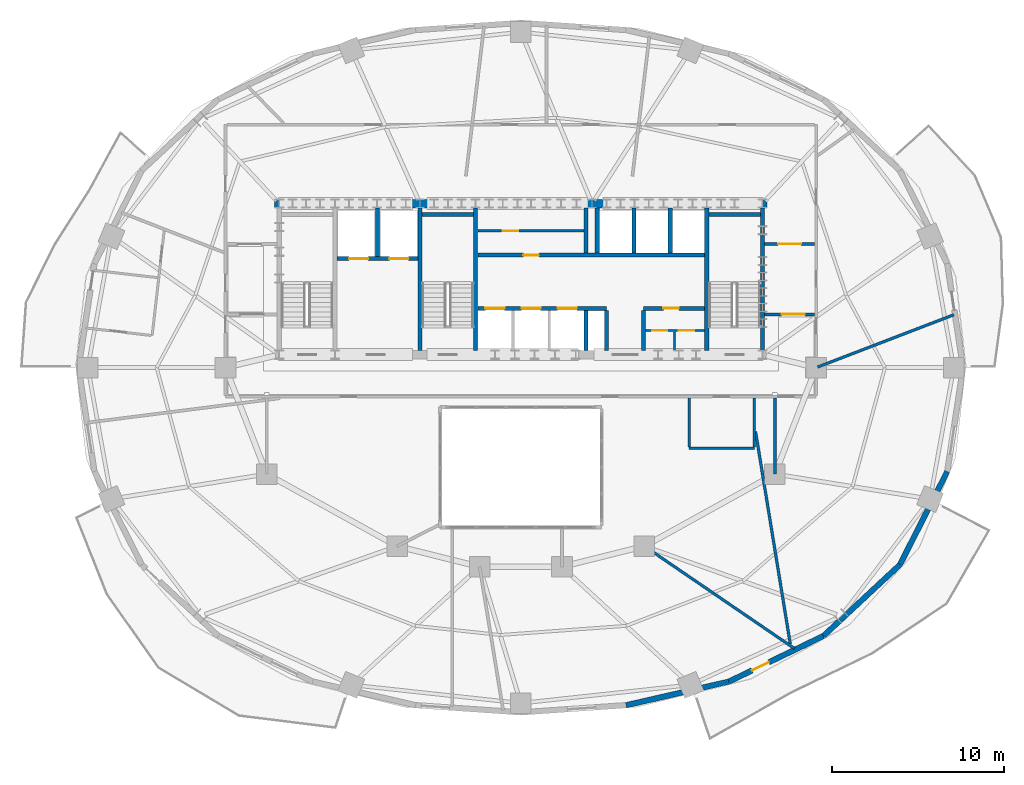
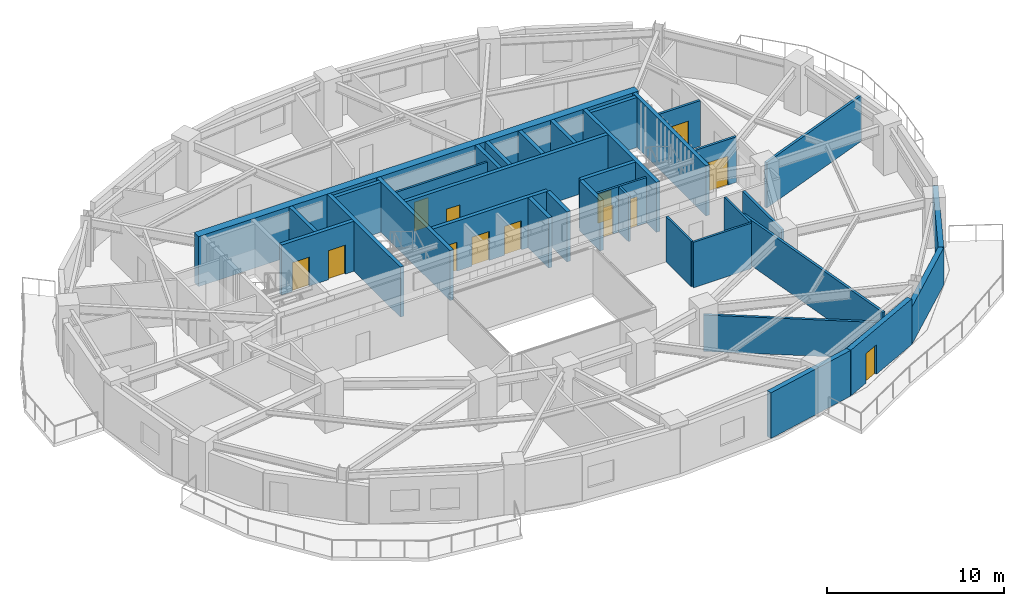
# One storey, part 7 of 12: 35 walls, 13 doors, 13 openings.
"""IFC4 building model written with IfcOpenShell, lengths in metres."""

from ifc_helpers import new_model, si_unit, direction, frame, frame_2d, origin, place, context, subcontext, project, spatial, rectangle, extrude, material, layer, layer_set, type_object, element, fill, save


model = new_model("IFC4")

# Units and contexts
model_context = context("Model", 3, precision=1e-05, world=origin(), true_north=direction((0.0, 1.0)))
body_context = subcontext(model_context, "Body", "Model", "MODEL_VIEW")
ifc_project = project(units=[si_unit("LENGTHUNIT", "METRE"), si_unit("AREAUNIT", "SQUARE_METRE"), si_unit("VOLUMEUNIT", "CUBIC_METRE"), si_unit("PLANEANGLEUNIT", "RADIAN"), si_unit("MASSUNIT", "GRAM", prefix="KILO")], contexts=[model_context])

# Site, building, storey
site_placement = place(None, origin())
site = spatial("IfcSite", under=ifc_project, at=site_placement, CompositionType="ELEMENT")
building_placement = place(site_placement, origin())
building = spatial("IfcBuilding", under=site, at=building_placement, Name="Haldorwick Loom Tower", CompositionType="ELEMENT")
storey_placement = place(building_placement, frame((0.0, 0.0, 146.0)))
storey = spatial("IfcBuildingStorey", under=building, at=storey_placement, Name="L39", CompositionType="ELEMENT", Elevation=146.0)

# Wall
ifc_material_1 = material(Name="Pressed Clay Face Brick and Insulated Masonry Backup Assembly", Category="masonry")
ifc_layer_1 = layer(ifc_material_1, 0.320068359375, Name="Pressed Clay Face Brick and Insulated Masonry Backup Assembly", Category="masonry")
ifc_layer_set_1 = layer_set([ifc_layer_1], Name="Pressed Clay Face Brick and Insulated Masonry Backup Assembly")
wall_type_1 = type_object("IfcWallType", Name="ARC-WL-EXT320", PredefinedType="STANDARD", material=ifc_layer_set_1)
wall_1_placement = place(storey_placement, frame((42.12890625, 6.3359375, 0.0), z_axis=(0.0, 0.0, 1.0), x_axis=(0.974593223547, 0.223982250674, 0.0)))
element("IfcWall", 1, at=wall_1_placement, inside=storey, type_object=wall_type_1, Name="L39 Brick Pier and Spandrel Wall 20", PredefinedType="STANDARD", context=body_context, shape_type="SweptSolid", body=[
    extrude(rectangle(XDim=6.138916015625, YDim=0.320068359375, at=frame_2d((3.0693359375, 0.0))), origin(), (0.0, 0.0, 1.0), 3.14990234375),
])

# Wall, opening, door
wall_2_placement = place(storey_placement, frame((48.11181640625, 7.7109375, 0.0), z_axis=(0.0, 0.0, 1.0), x_axis=(0.900479976617, 0.434897472644, 0.0)))
wall_2 = element("IfcWall", 2, at=wall_2_placement, inside=storey, type_object=wall_type_1, Name="L39 Brick Pier and Spandrel Wall 21", PredefinedType="STANDARD", context=body_context, shape_type="SweptSolid", body=[
    extrude(rectangle(XDim=6.118408203125, YDim=0.320068359375, at=frame_2d((3.05908203125, 0.0))), origin(), (0.0, 0.0, 1.0), 3.14990234375),
])
opening_1_placement = place(wall_2_placement, frame((1.50634765625, 0.0, 0.0)))
opening_1 = element("IfcOpeningElement", 3, at=opening_1_placement, cuts=wall_2, Name="Opening D-BL11", PredefinedType="OPENING", context=body_context, shape_type="SweptSolid", body=[
    extrude(rectangle(XDim=1.080078125, YDim=2.0400390625, at=frame_2d((0.5400390625, 1.02001953125))), frame((0.0, 0.169921875, 0.0), z_axis=(0.0, -1.0, 0.0), x_axis=(1.0, 0.0, 0.0)), (0.0, 0.0, 1.0), 0.340087890625),
])
ifc_material_2 = material(Name="Thermally Broken Anodized Aluminium Curtain Wall Framing", Category="aluminium")
door_type_1 = type_object("IfcDoorType", Name="ARC-DR-BAL110", OperationType="NOTDEFINED", PredefinedType="DOOR", material=ifc_material_2)
door_1_placement = place(opening_1_placement, origin())
door_1 = element("IfcDoor", 4, at=door_1_placement, inside=storey, type_object=door_type_1, Name="L39 Outdoor Terrace Door SLB-L39-BAL_SE", OperationType="SINGLE_SWING_RIGHT", OverallHeight=2.0400390625, OverallWidth=1.080078125, PredefinedType="DOOR", context=body_context, shape_type="SweptSolid", body=[
    extrude(rectangle(XDim=1.080078125, YDim=2.0400390625, at=frame_2d((0.5400390625, 1.02001953125))), frame((0.0, 0.02490234375, 0.0), z_axis=(0.0, -1.0, 0.0), x_axis=(1.0, 0.0, 0.0)), (0.0, 0.0, 1.0), 0.050048828125),
])
fill(opening_1, door_1)

# Walls
for number, where, z_axis, x_axis, name in (
    (5, (53.621337890625, 10.371826171875, 0.0), (0.0, 0.0, 1.0), (0.731982952968, 0.681322945866, 0.0), "L39 Brick Pier and Spandrel Wall 22"),
    (6, (58.07666015625, 14.518798828125, 0.0), (0.0, 0.0, 1.0), (0.453172129629, 0.89142303141, 0.0), "L39 Brick Pier and Spandrel Wall 23"),
):
    element("IfcWall", number, at=place(storey_placement, frame(where, z_axis=z_axis, x_axis=x_axis)), inside=storey, type_object=wall_type_1, Name=name, PredefinedType="STANDARD", context=body_context, shape_type="SweptSolid", body=[
        extrude(rectangle(XDim=6.086669921875, YDim=0.320068359375, at=frame_2d((3.04345703125, 0.0))), origin(), (0.0, 0.0, 1.0), 2.5810546875),
    ])

# Wall, opening, door
ifc_material_3 = material(Name="Fire-Rated Type X Gypsum Stud Assembly EI 60")
ifc_layer_2 = layer(ifc_material_3, 0.159912109375, Name="Fire-Rated Type X Gypsum Stud Assembly EI 60")
ifc_layer_set_2 = layer_set([ifc_layer_2], Name="Fire-Rated Type X Gypsum Stud Assembly EI 60")
wall_type_2 = type_object("IfcWallType", Name="ARC-WL-FIRE160", PredefinedType="PARTITIONING", material=ifc_layer_set_2)
wall_3_placement = place(storey_placement, frame((50.193115234375, 29.10009765625, 0.0), z_axis=(0.0, 0.0, 1.0), x_axis=(1.0, 0.0, 0.0)))
wall_3 = element("IfcWall", 7, at=wall_3_placement, inside=storey, type_object=wall_type_2, Name="L39 Residential Fire Partition L39-CR-ESJ", PredefinedType="PARTITIONING", context=body_context, shape_type="SweptSolid", body=[
    extrude(rectangle(XDim=2.923828125, YDim=0.159912109375, at=frame_2d((1.4619140625, 0.0))), origin(), (0.0, 0.0, 1.0), 3.135009765625),
])
opening_2_placement = place(wall_3_placement, frame((0.99560546875, 0.0, 0.0)))
opening_2 = element("IfcOpeningElement", 8, at=opening_2_placement, cuts=wall_3, Name="Opening D-CR15", PredefinedType="OPENING", context=body_context, shape_type="SweptSolid", body=[
    extrude(rectangle(XDim=1.35009765625, YDim=2.0, at=frame_2d((0.675048828125, 1.0))), frame((0.0, 0.08984375, 0.0), z_axis=(0.0, -1.0, 0.0), x_axis=(1.0, 0.0, 0.0)), (0.0, 0.0, 1.0), 0.179931640625),
])
ifc_material_4 = material(Name="Thermally Broken Anodized Aluminium and Tempered Glass", Category="aluminium")
door_type_2 = type_object("IfcDoorType", Name="ARC-DR-COR150", OperationType="NOTDEFINED", PredefinedType="DOOR", material=ifc_material_4)
door_2_placement = place(opening_2_placement, origin())
door_2 = element("IfcDoor", 9, at=door_2_placement, inside=storey, type_object=door_type_2, Name="L39 L39 East Residential Corridor to L39 Central Residential Corridor Do", OperationType="DOUBLE_DOOR_SINGLE_SWING", OverallHeight=2.0, OverallWidth=1.35009765625, PredefinedType="DOOR", context=body_context, shape_type="SweptSolid", body=[
    extrude(rectangle(XDim=1.35009765625, YDim=2.0, at=frame_2d((0.675048828125, 1.0))), frame((0.0, 0.02490234375, 0.0), z_axis=(0.0, -1.0, 0.0), x_axis=(1.0, 0.0, 0.0)), (0.0, 0.0, 1.0), 0.050048828125),
])
fill(opening_2, door_2)

wall_4_placement = place(storey_placement, frame((50.193115234375, 33.199951171875, 0.0), z_axis=(0.0, 0.0, 1.0), x_axis=(1.0, 0.0, 0.0)))
wall_4 = element("IfcWall", 10, at=wall_4_placement, inside=storey, type_object=wall_type_2, Name="L39 Residential Fire Partition L39-CR-ENJ", PredefinedType="PARTITIONING", context=body_context, shape_type="SweptSolid", body=[
    extrude(rectangle(XDim=2.923828125, YDim=0.159912109375, at=frame_2d((1.4619140625, 0.0))), origin(), (0.0, 0.0, 1.0), 3.135009765625),
])
opening_3_placement = place(wall_4_placement, frame((0.787109375, 0.0, 0.0)))
opening_3 = element("IfcOpeningElement", 11, at=opening_3_placement, cuts=wall_4, Name="Opening D-CR15", PredefinedType="OPENING", context=body_context, shape_type="SweptSolid", body=[
    extrude(rectangle(XDim=1.35009765625, YDim=2.0, at=frame_2d((0.675048828125, 1.0))), frame((0.0, 0.08984375, 0.0), z_axis=(0.0, -1.0, 0.0), x_axis=(1.0, 0.0, 0.0)), (0.0, 0.0, 1.0), 0.179931640625),
])
door_3_placement = place(opening_3_placement, origin())
door_3 = element("IfcDoor", 12, at=door_3_placement, inside=storey, type_object=door_type_2, Name="L39 L39 North Residential Corridor to L39 East Residential Corridor Door", OperationType="DOUBLE_DOOR_SINGLE_SWING", OverallHeight=2.0, OverallWidth=1.35009765625, PredefinedType="DOOR", context=body_context, shape_type="SweptSolid", body=[
    extrude(rectangle(XDim=1.35009765625, YDim=2.0, at=frame_2d((0.675048828125, 1.0))), frame((0.0, 0.02490234375, 0.0), z_axis=(0.0, -1.0, 0.0), x_axis=(1.0, 0.0, 0.0)), (0.0, 0.0, 1.0), 0.050048828125),
])
fill(opening_3, door_3)

# Walls
wall_5_placement = place(storey_placement, frame((53.282958984375, 26.031982421875, 0.0), z_axis=(0.0, 0.0, 1.0), x_axis=(0.933582908512, 0.358361483609, 0.0)))
element("IfcWall", 13, at=wall_5_placement, inside=storey, type_object=wall_type_2, Name="L39 Residential Fire Partition L39-ICR-01", PredefinedType="PARTITIONING", context=body_context, shape_type="SweptSolid", body=[
    extrude(rectangle(XDim=8.50439453125, YDim=0.159912109375, at=frame_2d((4.252197265625, 0.0))), origin(), (0.0, 0.0, 1.0), 3.135009765625),
])
wall_6_placement = place(storey_placement, frame((43.199951171875, 15.60009765625, 0.0), z_axis=(0.0, 0.0, 1.0), x_axis=(0.82604480774, -0.563604449597, 0.0)))
element("IfcWall", 14, at=wall_6_placement, inside=storey, type_object=wall_type_2, Name="L39 Residential Fire Partition L39-ICR-04", PredefinedType="PARTITIONING", context=body_context, shape_type="SweptSolid", body=[
    extrude(rectangle(XDim=10.58544921875, YDim=0.159912109375, at=frame_2d((5.292724609375, 0.0))), origin(), (0.0, 0.0, 1.0), 2.508056640625),
])
wall_7_placement = place(storey_placement, frame((50.800048828125, 24.217041015625, 0.0), z_axis=(0.0, 0.0, 1.0), x_axis=(0.0, -1.0, 0.0)))
element("IfcWall", 15, at=wall_7_placement, inside=storey, type_object=wall_type_2, Name="L39 Residential Fire Partition L39-ICA-02", PredefinedType="PARTITIONING", context=body_context, shape_type="SweptSolid", body=[
    extrude(rectangle(XDim=4.4169921875, YDim=0.159912109375, at=frame_2d((2.20849609375, 0.0))), origin(), (0.0, 0.0, 1.0), 3.135009765625),
])
wall_8_placement = place(storey_placement, frame((51.69384765625, 9.9052734375, 0.0), z_axis=(0.0, 0.0, 1.0), x_axis=(-0.161347731236, 0.986897618614, 0.0)))
element("IfcWall", 16, at=wall_8_placement, inside=storey, type_object=wall_type_2, Name="L39 Suite Split Wall", PredefinedType="PARTITIONING", context=body_context, shape_type="SweptSolid", body=[
    extrude(rectangle(XDim=12.524169921875, YDim=0.159912109375, at=frame_2d((6.26220703125, 0.0))), origin(), (0.0, 0.0, 1.0), 3.135009765625),
])

# Wall, opening, door
ifc_layer_3 = layer(ifc_material_3, 0.139892578125, Name="Fire-Rated Type X Gypsum Stud Assembly EI 60")
ifc_layer_set_3 = layer_set([ifc_layer_3], Name="Fire-Rated Type X Gypsum Stud Assembly EI 60")
wall_type_3 = type_object("IfcWallType", Name="ARC-WL-PART140", PredefinedType="PARTITIONING", material=ifc_layer_set_3)
wall_9_placement = place(storey_placement, frame((33.492919921875, 33.9599609375, 0.0), z_axis=(0.0, 0.0, 1.0), x_axis=(1.0, 0.0, 0.0)))
wall_9 = element("IfcWall", 17, at=wall_9_placement, inside=storey, type_object=wall_type_3, Name="L39 Alcove Partition", PredefinedType="PARTITIONING", context=body_context, shape_type="SweptSolid", body=[
    extrude(rectangle(XDim=6.18408203125, YDim=0.139892578125, at=frame_2d((3.092041015625, 0.0))), origin(), (0.0, 0.0, 1.0), 3.135009765625),
])
opening_4_placement = place(wall_9_placement, frame((1.45703125, 0.0, 0.0)))
opening_4 = element("IfcOpeningElement", 18, at=opening_4_placement, cuts=wall_9, Name="Opening D-FD60A", PredefinedType="OPENING", context=body_context, shape_type="SweptSolid", body=[
    extrude(rectangle(XDim=0.89990234375, YDim=2.0, at=frame_2d((0.449951171875, 1.0))), frame((0.0, 0.079833984375, 0.0), z_axis=(0.0, -1.0, 0.0), x_axis=(1.0, 0.0, 0.0)), (0.0, 0.0, 1.0), 0.159912109375),
])
ifc_material_5 = material(Name="Hollow Steel Fire Door Assembly", Category="steel")
door_type_3 = type_object("IfcDoorType", Name="ARC-DR-FD60-90", OperationType="NOTDEFINED", PredefinedType="DOOR", material=ifc_material_5)
door_4_placement = place(opening_4_placement, frame((0.89990234375, 0.0, 0.0), z_axis=(0.0, 0.0, 1.0), x_axis=(-1.0, 0.0, 0.0)))
door_4 = element("IfcDoor", 19, at=door_4_placement, inside=storey, type_object=door_type_3, Name="L39 Trunk Store Door", OperationType="SINGLE_SWING_LEFT", OverallHeight=2.0, OverallWidth=0.89990234375, PredefinedType="DOOR", context=body_context, shape_type="SweptSolid", body=[
    extrude(rectangle(XDim=0.89990234375, YDim=2.0, at=frame_2d((0.449951171875, 1.0))), frame((0.0, 0.02490234375, 0.0), z_axis=(0.0, -1.0, 0.0), x_axis=(1.0, 0.0, 0.0)), (0.0, 0.0, 1.0), 0.050048828125),
])
fill(opening_4, door_4)

# Wall, openings, doors
wall_10_placement = place(storey_placement, frame((43.27294921875, 28.159912109375, 0.0), z_axis=(0.0, 0.0, 1.0), x_axis=(1.0, 0.0, 0.0)))
wall_10 = element("IfcWall", 20, at=wall_10_placement, inside=storey, type_object=wall_type_3, Name="L39 Telecom Partition", PredefinedType="PARTITIONING", context=body_context, shape_type="SweptSolid", body=[
    extrude(rectangle(XDim=3.43408203125, YDim=0.139892578125, at=frame_2d((1.717041015625, 0.0))), origin(), (0.0, 0.0, 1.0), 3.135009765625),
])
opening_5_placement = place(wall_10_placement, frame((0.366943359375, 0.0, 0.0)))
opening_5 = element("IfcOpeningElement", 21, at=opening_5_placement, cuts=wall_10, Name="Opening D-BT88", PredefinedType="OPENING", context=body_context, shape_type="SweptSolid", body=[
    extrude(rectangle(XDim=0.8798828125, YDim=2.02001953125, at=frame_2d((0.43994140625, 1.010009765625))), frame((0.0, 0.079833984375, 0.0), z_axis=(0.0, -1.0, 0.0), x_axis=(1.0, 0.0, 0.0)), (0.0, 0.0, 1.0), 0.159912109375),
])
opening_6_placement = place(wall_10_placement, frame((1.93701171875, 0.0, 0.0)))
opening_6 = element("IfcOpeningElement", 22, at=opening_6_placement, cuts=wall_10, Name="Opening D-BT88", PredefinedType="OPENING", context=body_context, shape_type="SweptSolid", body=[
    extrude(rectangle(XDim=0.8798828125, YDim=2.02001953125, at=frame_2d((0.43994140625, 1.010009765625))), frame((0.0, 0.079833984375, 0.0), z_axis=(0.0, -1.0, 0.0), x_axis=(1.0, 0.0, 0.0)), (0.0, 0.0, 1.0), 0.159912109375),
])
ifc_material_6 = material(Name="Solid Core Birch Architectural Door")
door_type_4 = type_object("IfcDoorType", Name="ARC-DR-BATH88", OperationType="NOTDEFINED", PredefinedType="DOOR", material=ifc_material_6)
door_5_placement = place(opening_5_placement, origin())
door_5 = element("IfcDoor", 23, at=door_5_placement, inside=storey, type_object=door_type_4, Name="L39 Telecom Room Door", OperationType="SINGLE_SWING_LEFT", OverallHeight=2.02001953125, OverallWidth=0.8798828125, PredefinedType="DOOR", context=body_context, shape_type="SweptSolid", body=[
    extrude(rectangle(XDim=0.8798828125, YDim=2.02001953125, at=frame_2d((0.43994140625, 1.010009765625))), frame((0.0, 0.02490234375, 0.0), z_axis=(0.0, -1.0, 0.0), x_axis=(1.0, 0.0, 0.0)), (0.0, 0.0, 1.0), 0.050048828125),
])
fill(opening_5, door_5)
door_6_placement = place(opening_6_placement, origin())
door_6 = element("IfcDoor", 24, at=door_6_placement, inside=storey, type_object=door_type_4, Name="L39 Metering Closet Door", OperationType="SINGLE_SWING_RIGHT", OverallHeight=2.02001953125, OverallWidth=0.8798828125, PredefinedType="DOOR", context=body_context, shape_type="SweptSolid", body=[
    extrude(rectangle(XDim=0.8798828125, YDim=2.02001953125, at=frame_2d((0.43994140625, 1.010009765625))), frame((0.0, 0.02490234375, 0.0), z_axis=(0.0, -1.0, 0.0), x_axis=(1.0, 0.0, 0.0)), (0.0, 0.0, 1.0), 0.050048828125),
])
fill(opening_6, door_6)

# Walls
wall_11_placement = place(storey_placement, frame((44.949951171875, 27.0029296875, 0.0), z_axis=(0.0, 0.0, 1.0), x_axis=(0.0, 1.0, 0.0)))
element("IfcWall", 25, at=wall_11_placement, inside=storey, type_object=wall_type_3, Name="L39 Metering Sub-Partition", PredefinedType="PARTITIONING", context=body_context, shape_type="SweptSolid", body=[
    extrude(rectangle(XDim=1.083984375, YDim=0.139892578125, at=frame_2d((0.5419921875, 0.0))), origin(), (0.0, 0.0, 1.0), 3.135009765625),
])
wall_12_placement = place(storey_placement, frame((45.800048828125, 21.300048828125, 0.0), z_axis=(0.0, 0.0, 1.0), x_axis=(1.0, 0.0, 0.0)))
element("IfcWall", 26, at=wall_12_placement, inside=storey, type_object=wall_type_3, Name="L39 Residential Fire Partition L39-CWC-S", PredefinedType="PARTITIONING", context=body_context, shape_type="SweptSolid", body=[
    extrude(rectangle(XDim=3.800048828125, YDim=0.139892578125, at=frame_2d((1.89990234375, 0.0))), origin(), (0.0, 0.0, 1.0), 3.135009765625),
])
for number, where, z_axis, x_axis, name in (
    (27, (45.800048828125, 21.373046875, 0.0), (0.0, 0.0, 1.0), (0.0, 1.0, 0.0), "L39 Residential Fire Partition L39-CWC-W"),
    (28, (49.60009765625, 21.373046875, 0.0), (0.0, 0.0, 1.0), (0.0, 1.0, 0.0), "L39 Residential Fire Partition L39-CWC-E"),
):
    element("IfcWall", number, at=place(storey_placement, frame(where, z_axis=z_axis, x_axis=x_axis)), inside=storey, type_object=wall_type_3, Name=name, PredefinedType="PARTITIONING", context=body_context, shape_type="SweptSolid", body=[
        extrude(rectangle(XDim=2.843994140625, YDim=0.139892578125, at=frame_2d((1.421875, 0.0))), origin(), (0.0, 0.0, 1.0), 3.135009765625),
    ])
ifc_material_7 = material(Name="Concrete C60 (60 MPa)", Category="concrete")
ifc_layer_4 = layer(ifc_material_7, 0.5, Name="Concrete C60 (60 MPa)", Category="concrete")
ifc_layer_set_4 = layer_set([ifc_layer_4], Name="Concrete C60 (60 MPa)")
wall_type_4 = type_object("IfcWallType", Name="STR-WL-CORE500", PredefinedType="SHEAR", material=ifc_layer_set_4)
wall_13_placement = place(storey_placement, frame((50.35009765625, 35.550048828125, 0.0), z_axis=(0.0, 0.0, 1.0), x_axis=(-1.0, 0.0, 0.0)))
element("IfcWall", 29, at=wall_13_placement, inside=storey, type_object=wall_type_4, Name="L39 Core Shear Wall N", PredefinedType="SHEAR", context=body_context, shape_type="SweptSolid", body=[
    extrude(rectangle(XDim=28.7001953125, YDim=0.5, at=frame_2d((14.35009765625, 0.0))), origin(), (0.0, 0.0, 1.0), 3.449951171875),
])
ifc_material_8 = material(Name="Concrete C50 (50 MPa)", Category="concrete")
ifc_layer_5 = layer(ifc_material_8, 0.239990234375, Name="Concrete C50 (50 MPa)", Category="concrete")
ifc_layer_set_5 = layer_set([ifc_layer_5], Name="Concrete C50 (50 MPa)")
wall_type_5 = type_object("IfcWallType", Name="STR-WL-SHAFT240", PredefinedType="SHEAR", material=ifc_layer_set_5)
for number, where, z_axis, x_axis, name in (
    (30, (50.070068359375, 27.0029296875, 0.0), (0.0, 0.0, 1.0), (0.0, 1.0, 0.0), "L39 Core Shear Wall E"),
    (31, (30.1298828125, 27.0029296875, 0.0), (0.0, 0.0, 1.0), (0.0, 1.0, 0.0), "L39 Core Shear Wall 2"),
    (32, (33.3701171875, 27.0029296875, 0.0), (0.0, 0.0, 1.0), (0.0, 1.0, 0.0), "L39 Core Shear Wall 3"),
):
    element("IfcWall", number, at=place(storey_placement, frame(where, z_axis=z_axis, x_axis=x_axis)), inside=storey, type_object=wall_type_5, Name=name, PredefinedType="SHEAR", context=body_context, shape_type="SweptSolid", body=[
        extrude(rectangle(XDim=8.294189453125, YDim=0.239990234375, at=frame_2d((4.14697265625, 0.0))), origin(), (0.0, 0.0, 1.0), 3.449951171875),
    ])
wall_14_placement = place(storey_placement, frame((30.2529296875, 34.919921875, 0.0), z_axis=(0.0, 0.0, 1.0), x_axis=(1.0, 0.0, 0.0)))
element("IfcWall", 33, at=wall_14_placement, inside=storey, type_object=wall_type_5, Name="L39 Core Shear Wall 3N", PredefinedType="SHEAR", context=body_context, shape_type="SweptSolid", body=[
    extrude(rectangle(XDim=2.994140625, YDim=0.239990234375, at=frame_2d((1.4970703125, 0.0))), origin(), (0.0, 0.0, 1.0), 3.449951171875),
])
wall_15_placement = place(storey_placement, frame((46.830078125, 27.0029296875, 0.0), z_axis=(0.0, 0.0, 1.0), x_axis=(0.0, 1.0, 0.0)))
element("IfcWall", 34, at=wall_15_placement, inside=storey, type_object=wall_type_5, Name="L39 Core Shear Wall 4", PredefinedType="SHEAR", context=body_context, shape_type="SweptSolid", body=[
    extrude(rectangle(XDim=8.294189453125, YDim=0.239990234375, at=frame_2d((4.14697265625, 0.0))), origin(), (0.0, 0.0, 1.0), 3.449951171875),
])
wall_16_placement = place(storey_placement, frame((46.952880859375, 34.919921875, 0.0), z_axis=(0.0, 0.0, 1.0), x_axis=(1.0, 0.0, 0.0)))
element("IfcWall", 35, at=wall_16_placement, inside=storey, type_object=wall_type_5, Name="L39 Core Shear Wall 4N", PredefinedType="SHEAR", context=body_context, shape_type="SweptSolid", body=[
    extrude(rectangle(XDim=2.994140625, YDim=0.239990234375, at=frame_2d((1.4970703125, 0.0))), origin(), (0.0, 0.0, 1.0), 3.449951171875),
])

# Wall, openings, doors
wall_17_placement = place(storey_placement, frame((25.29296875, 32.35009765625, 0.0), z_axis=(0.0, 0.0, 1.0), x_axis=(1.0, 0.0, 0.0)))
wall_17 = element("IfcWall", 36, at=wall_17_placement, inside=storey, type_object=wall_type_5, Name="L39 Core Shear Wall FF", PredefinedType="SHEAR", context=body_context, shape_type="SweptSolid", body=[
    extrude(rectangle(XDim=4.714111328125, YDim=0.239990234375, at=frame_2d((2.35693359375, 0.0))), origin(), (0.0, 0.0, 1.0), 3.449951171875),
])
opening_7_placement = place(wall_17_placement, frame((0.70703125, 0.0, 0.0)))
opening_7 = element("IfcOpeningElement", 37, at=opening_7_placement, cuts=wall_17, Name="Opening LD-FF1", PredefinedType="OPENING", context=body_context, shape_type="SweptSolid", body=[
    extrude(rectangle(XDim=1.10009765625, YDim=2.0, at=frame_2d((0.550048828125, 1.0))), frame((0.0, 0.1298828125, 0.0), z_axis=(0.0, -1.0, 0.0), x_axis=(1.0, 0.0, 0.0)), (0.0, 0.0, 1.0), 0.260009765625),
])
opening_8_placement = place(wall_17_placement, frame((3.056884765625, 0.0, 0.0)))
opening_8 = element("IfcOpeningElement", 38, at=opening_8_placement, cuts=wall_17, Name="Opening LD-FF2", PredefinedType="OPENING", context=body_context, shape_type="SweptSolid", body=[
    extrude(rectangle(XDim=1.10009765625, YDim=2.0, at=frame_2d((0.550048828125, 1.0))), frame((0.0, 0.1298828125, 0.0), z_axis=(0.0, -1.0, 0.0), x_axis=(1.0, 0.0, 0.0)), (0.0, 0.0, 1.0), 0.260009765625),
])
door_type_5 = type_object("IfcDoorType", Name="ARC-DR-LD-FF", OperationType="NOTDEFINED", PredefinedType="USERDEFINED", material=ifc_material_5)
door_7_placement = place(opening_7_placement, origin())
door_7 = element("IfcDoor", 39, at=door_7_placement, inside=storey, type_object=door_type_5, Name="L39 Lift LF-FF1 Sliding Landing Door", ObjectType="LANDING DOOR", OperationType="DOUBLE_DOOR_SLIDING", OverallHeight=2.0, OverallWidth=1.10009765625, PredefinedType="USERDEFINED", context=body_context, shape_type="SweptSolid", body=[
    extrude(rectangle(XDim=1.10009765625, YDim=2.0, at=frame_2d((0.550048828125, 1.0))), frame((0.0, 0.02490234375, 0.0), z_axis=(0.0, -1.0, 0.0), x_axis=(1.0, 0.0, 0.0)), (0.0, 0.0, 1.0), 0.050048828125),
])
fill(opening_7, door_7)
door_8_placement = place(opening_8_placement, origin())
door_8 = element("IfcDoor", 40, at=door_8_placement, inside=storey, type_object=door_type_5, Name="L39 Lift LF-FF2 Sliding Landing Door", ObjectType="LANDING DOOR", OperationType="DOUBLE_DOOR_SLIDING", OverallHeight=2.0, OverallWidth=1.10009765625, PredefinedType="USERDEFINED", context=body_context, shape_type="SweptSolid", body=[
    extrude(rectangle(XDim=1.10009765625, YDim=2.0, at=frame_2d((0.550048828125, 1.0))), frame((0.0, 0.02490234375, 0.0), z_axis=(0.0, -1.0, 0.0), x_axis=(1.0, 0.0, 0.0)), (0.0, 0.0, 1.0), 0.050048828125),
])
fill(opening_8, door_8)

# Wall
wall_18_placement = place(storey_placement, frame((27.64990234375, 32.472900390625, 0.0), z_axis=(0.0, 0.0, 1.0), x_axis=(0.0, 1.0, 0.0)))
element("IfcWall", 41, at=wall_18_placement, inside=storey, type_object=wall_type_5, Name="L39 Core Shear Wall FFD", PredefinedType="SHEAR", context=body_context, shape_type="SweptSolid", body=[
    extrude(rectangle(XDim=2.82421875, YDim=0.239990234375, at=frame_2d((1.412109375, 0.0))), origin(), (0.0, 0.0, 1.0), 3.449951171875),
])

# Wall, opening, door
wall_19_placement = place(storey_placement, frame((33.492919921875, 32.550048828125, 0.0), z_axis=(0.0, 0.0, 1.0), x_axis=(1.0, 0.0, 0.0)))
wall_19 = element("IfcWall", 42, at=wall_19_placement, inside=storey, type_object=wall_type_5, Name="L39 Core Shear Wall LN", PredefinedType="SHEAR", context=body_context, shape_type="SweptSolid", body=[
    extrude(rectangle(XDim=13.214111328125, YDim=0.239990234375, at=frame_2d((6.60693359375, 0.0))), origin(), (0.0, 0.0, 1.0), 3.449951171875),
])
opening_9_placement = place(wall_19_placement, frame((2.656982421875, 0.0, 0.0)))
opening_9 = element("IfcOpeningElement", 43, at=opening_9_placement, cuts=wall_19, Name="Opening D-FD60A", PredefinedType="OPENING", context=body_context, shape_type="SweptSolid", body=[
    extrude(rectangle(XDim=0.89990234375, YDim=2.0, at=frame_2d((0.449951171875, 1.0))), frame((0.0, 0.1298828125, 0.0), z_axis=(0.0, -1.0, 0.0), x_axis=(1.0, 0.0, 0.0)), (0.0, 0.0, 1.0), 0.260009765625),
])
door_9_placement = place(opening_9_placement, frame((0.89990234375, 0.0, 0.0), z_axis=(0.0, 0.0, 1.0), x_axis=(-1.0, 0.0, 0.0)))
door_9 = element("IfcDoor", 44, at=door_9_placement, inside=storey, type_object=door_type_3, Name="L39 Floor Equipment Door", OperationType="SINGLE_SWING_RIGHT", OverallHeight=2.0, OverallWidth=0.89990234375, PredefinedType="DOOR", context=body_context, shape_type="SweptSolid", body=[
    extrude(rectangle(XDim=0.89990234375, YDim=2.0, at=frame_2d((0.449951171875, 1.0))), frame((0.0, 0.02490234375, 0.0), z_axis=(0.0, -1.0, 0.0), x_axis=(1.0, 0.0, 0.0)), (0.0, 0.0, 1.0), 0.050048828125),
])
fill(opening_9, door_9)

# Wall, openings, doors
wall_20_placement = place(storey_placement, frame((33.492919921875, 29.449951171875, 0.0), z_axis=(0.0, 0.0, 1.0), x_axis=(1.0, 0.0, 0.0)))
wall_20 = element("IfcWall", 45, at=wall_20_placement, inside=storey, type_object=wall_type_5, Name="L39 Core Shear Wall LS1", PredefinedType="SHEAR", context=body_context, shape_type="SweptSolid", body=[
    extrude(rectangle(XDim=7.507080078125, YDim=0.239990234375, at=frame_2d((3.75341796875, 0.0))), origin(), (0.0, 0.0, 1.0), 3.449951171875),
])
opening_10_placement = place(wall_20_placement, frame((0.447021484375, 0.0, 0.0)))
opening_10 = element("IfcOpeningElement", 46, at=opening_10_placement, cuts=wall_20, Name="Opening LD-M1", PredefinedType="OPENING", context=body_context, shape_type="SweptSolid", body=[
    extrude(rectangle(XDim=1.1201171875, YDim=2.0, at=frame_2d((0.56005859375, 1.0))), frame((0.0, 0.1298828125, 0.0), z_axis=(0.0, -1.0, 0.0), x_axis=(1.0, 0.0, 0.0)), (0.0, 0.0, 1.0), 0.260009765625),
])
opening_11_placement = place(wall_20_placement, frame((2.547119140625, 0.0, 0.0)))
opening_11 = element("IfcOpeningElement", 47, at=opening_11_placement, cuts=wall_20, Name="Opening LD-M2", PredefinedType="OPENING", context=body_context, shape_type="SweptSolid", body=[
    extrude(rectangle(XDim=1.1201171875, YDim=2.0, at=frame_2d((0.56005859375, 1.0))), frame((0.0, 0.1298828125, 0.0), z_axis=(0.0, -1.0, 0.0), x_axis=(1.0, 0.0, 0.0)), (0.0, 0.0, 1.0), 0.260009765625),
])
opening_12_placement = place(wall_20_placement, frame((4.64697265625, 0.0, 0.0)))
opening_12 = element("IfcOpeningElement", 48, at=opening_12_placement, cuts=wall_20, Name="Opening LD-M3", PredefinedType="OPENING", context=body_context, shape_type="SweptSolid", body=[
    extrude(rectangle(XDim=1.1201171875, YDim=2.0, at=frame_2d((0.56005859375, 1.0))), frame((0.0, 0.1298828125, 0.0), z_axis=(0.0, -1.0, 0.0), x_axis=(1.0, 0.0, 0.0)), (0.0, 0.0, 1.0), 0.260009765625),
])
door_type_6 = type_object("IfcDoorType", Name="ARC-DR-LD-PAX", OperationType="NOTDEFINED", PredefinedType="USERDEFINED", material=ifc_material_5)
door_10_placement = place(opening_10_placement, origin())
door_10 = element("IfcDoor", 49, at=door_10_placement, inside=storey, type_object=door_type_6, Name="L39 Lift LF-M1 Sliding Landing Door", ObjectType="LANDING DOOR", OperationType="DOUBLE_DOOR_SLIDING", OverallHeight=2.0, OverallWidth=1.1201171875, PredefinedType="USERDEFINED", context=body_context, shape_type="SweptSolid", body=[
    extrude(rectangle(XDim=1.1201171875, YDim=2.0, at=frame_2d((0.56005859375, 1.0))), frame((0.0, 0.02490234375, 0.0), z_axis=(0.0, -1.0, 0.0), x_axis=(1.0, 0.0, 0.0)), (0.0, 0.0, 1.0), 0.050048828125),
])
fill(opening_10, door_10)
door_11_placement = place(opening_11_placement, origin())
door_11 = element("IfcDoor", 50, at=door_11_placement, inside=storey, type_object=door_type_6, Name="L39 Lift LF-M2 Sliding Landing Door", ObjectType="LANDING DOOR", OperationType="DOUBLE_DOOR_SLIDING", OverallHeight=2.0, OverallWidth=1.1201171875, PredefinedType="USERDEFINED", context=body_context, shape_type="SweptSolid", body=[
    extrude(rectangle(XDim=1.1201171875, YDim=2.0, at=frame_2d((0.56005859375, 1.0))), frame((0.0, 0.02490234375, 0.0), z_axis=(0.0, -1.0, 0.0), x_axis=(1.0, 0.0, 0.0)), (0.0, 0.0, 1.0), 0.050048828125),
])
fill(opening_11, door_11)
door_12_placement = place(opening_12_placement, origin())
door_12 = element("IfcDoor", 51, at=door_12_placement, inside=storey, type_object=door_type_6, Name="L39 Lift LF-M3 Sliding Landing Door", ObjectType="LANDING DOOR", OperationType="DOUBLE_DOOR_SLIDING", OverallHeight=2.0, OverallWidth=1.1201171875, PredefinedType="USERDEFINED", context=body_context, shape_type="SweptSolid", body=[
    extrude(rectangle(XDim=1.1201171875, YDim=2.0, at=frame_2d((0.56005859375, 1.0))), frame((0.0, 0.02490234375, 0.0), z_axis=(0.0, -1.0, 0.0), x_axis=(1.0, 0.0, 0.0)), (0.0, 0.0, 1.0), 0.050048828125),
])
fill(opening_12, door_12)

# Wall, opening, door
wall_21_placement = place(storey_placement, frame((43.14990234375, 29.449951171875, 0.0), z_axis=(0.0, 0.0, 1.0), x_axis=(1.0, 0.0, 0.0)))
wall_21 = element("IfcWall", 52, at=wall_21_placement, inside=storey, type_object=wall_type_5, Name="L39 Core Shear Wall LS2", PredefinedType="SHEAR", context=body_context, shape_type="SweptSolid", body=[
    extrude(rectangle(XDim=3.55712890625, YDim=0.239990234375, at=frame_2d((1.778564453125, 0.0))), origin(), (0.0, 0.0, 1.0), 3.449951171875),
])
opening_13_placement = place(wall_21_placement, frame((1.14990234375, 0.0, 0.0)))
opening_13 = element("IfcOpeningElement", 53, at=opening_13_placement, cuts=wall_21, Name="Opening D-FD60A", PredefinedType="OPENING", context=body_context, shape_type="SweptSolid", body=[
    extrude(rectangle(XDim=0.89990234375, YDim=2.0, at=frame_2d((0.449951171875, 1.0))), frame((0.0, 0.1298828125, 0.0), z_axis=(0.0, -1.0, 0.0), x_axis=(1.0, 0.0, 0.0)), (0.0, 0.0, 1.0), 0.260009765625),
])
door_13_placement = place(opening_13_placement, origin())
door_13 = element("IfcDoor", 54, at=door_13_placement, inside=storey, type_object=door_type_3, Name="L39 Janitor Closet Door", OperationType="SINGLE_SWING_LEFT", OverallHeight=2.0, OverallWidth=0.89990234375, PredefinedType="DOOR", context=body_context, shape_type="SweptSolid", body=[
    extrude(rectangle(XDim=0.89990234375, YDim=2.0, at=frame_2d((0.449951171875, 1.0))), frame((0.0, 0.02490234375, 0.0), z_axis=(0.0, -1.0, 0.0), x_axis=(1.0, 0.0, 0.0)), (0.0, 0.0, 1.0), 0.050048828125),
])
fill(opening_13, door_13)

# Walls
for number, where, z_axis, x_axis, name in (
    (55, (41.0, 27.0029296875, 0.0), (0.0, 0.0, 1.0), (0.0, 1.0, 0.0), "L39 Core Shear Wall THW"),
    (56, (43.14990234375, 27.0029296875, 0.0), (0.0, 0.0, 1.0), (0.0, 1.0, 0.0), "L39 Core Shear Wall THE"),
):
    element("IfcWall", number, at=place(storey_placement, frame(where, z_axis=z_axis, x_axis=x_axis)), inside=storey, type_object=wall_type_5, Name=name, PredefinedType="SHEAR", context=body_context, shape_type="SweptSolid", body=[
        extrude(rectangle(XDim=2.323974609375, YDim=0.239990234375, at=frame_2d((1.162109375, 0.0))), origin(), (0.0, 0.0, 1.0), 3.449951171875),
    ])
for number, where, z_axis, x_axis, name in (
    (57, (39.800048828125, 32.673095703125, 0.0), (0.0, 0.0, 1.0), (0.0, 1.0, 0.0), "L39 Core Shear Wall LHW"),
    (58, (40.449951171875, 32.673095703125, 0.0), (0.0, 0.0, 1.0), (0.0, 1.0, 0.0), "L39 Core Shear Wall H0"),
    (59, (42.60009765625, 32.673095703125, 0.0), (0.0, 0.0, 1.0), (0.0, 1.0, 0.0), "L39 Core Shear Wall H1"),
    (60, (44.699951171875, 32.673095703125, 0.0), (0.0, 0.0, 1.0), (0.0, 1.0, 0.0), "L39 Core Shear Wall H2"),
):
    element("IfcWall", number, at=place(storey_placement, frame(where, z_axis=z_axis, x_axis=x_axis)), inside=storey, type_object=wall_type_5, Name=name, PredefinedType="SHEAR", context=body_context, shape_type="SweptSolid", body=[
        extrude(rectangle(XDim=2.6240234375, YDim=0.239990234375, at=frame_2d((1.31201171875, 0.0))), origin(), (0.0, 0.0, 1.0), 3.449951171875),
    ])
wall_22_placement = place(storey_placement, frame((39.800048828125, 27.0029296875, 0.0), z_axis=(0.0, 0.0, 1.0), x_axis=(0.0, 1.0, 0.0)))
element("IfcWall", 61, at=wall_22_placement, inside=storey, type_object=wall_type_5, Name="L39 Core Shear Wall MRW", PredefinedType="SHEAR", context=body_context, shape_type="SweptSolid", body=[
    extrude(rectangle(XDim=2.323974609375, YDim=0.239990234375, at=frame_2d((1.162109375, 0.0))), origin(), (0.0, 0.0, 1.0), 3.449951171875),
])

save(model, "model.ifc")
